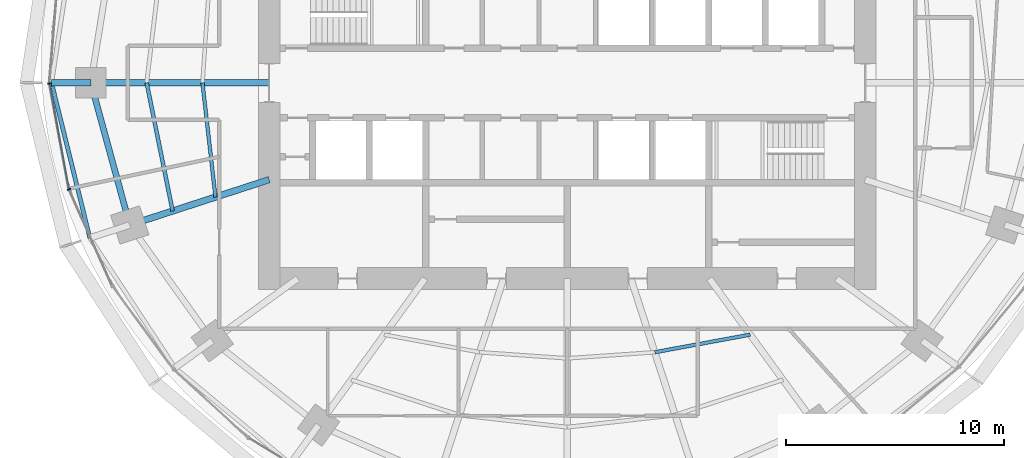
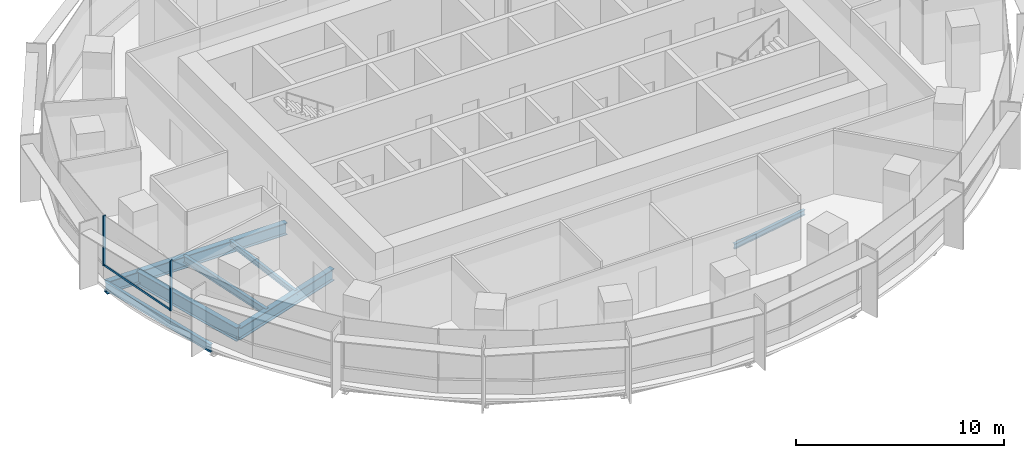
# One storey, part 3 of 14: 8 beams, 3 members, 1 element without a shape of its own.
"""IFC4 building model written with IfcOpenShell, lengths in metres."""

from ifc_helpers import new_model, si_unit, direction, frame, origin, origin_2d, place, context, subcontext, project, spatial, rectangle, i_section, extrude, material, material_profile, profile_set, type_object, element, aggregate, save


model = new_model("IFC4")

# Units and contexts
model_context = context("Model", 3, precision=1e-05, world=origin(), true_north=direction((0.0, 1.0)))
body_context = subcontext(model_context, "Body", "Model", "MODEL_VIEW")
ifc_project = project(units=[si_unit("LENGTHUNIT", "METRE"), si_unit("AREAUNIT", "SQUARE_METRE"), si_unit("VOLUMEUNIT", "CUBIC_METRE"), si_unit("PLANEANGLEUNIT", "RADIAN"), si_unit("MASSUNIT", "GRAM", prefix="KILO")], contexts=[model_context])

# Site, building, storey
site_placement = place(None, origin())
site = spatial("IfcSite", under=ifc_project, at=site_placement, CompositionType="ELEMENT")
building_placement = place(site_placement, origin())
building = spatial("IfcBuilding", under=site, at=building_placement, Name="Marramba Exchange Tower", CompositionType="ELEMENT")
storey_placement = place(building_placement, frame((0.0, 0.0, 199.39990234375)))
storey = spatial("IfcBuildingStorey", under=building, at=storey_placement, Name="L48", CompositionType="ELEMENT", Elevation=199.39990234375)

# Beams
ifc_material_1 = material(Name="Steel AS/NZS 3679.2 grade 300", Category="steel")
ifc_material_profile_1 = material_profile(ifc_material_1, i_section(OverallWidth=0.300048828125, OverallDepth=0.699951171875, WebThickness=0.010009765625, FlangeThickness=0.031982421875, at=origin_2d()), Name="700WB173")
ifc_profile_set_1 = profile_set([ifc_material_profile_1], Name="Steel AS/NZS 3679.2 grade 300")
beam_type_1 = type_object("IfcBeamType", Name="Cantilever girder 700WB173", PredefinedType="BEAM", material=ifc_profile_set_1)
beam_1_placement = place(storey_placement, frame((-21.89990234375, 0.0, -0.510009765625), z_axis=(-1.0, 0.0, 0.0), x_axis=(0.0, -1.0, 0.0)))
element("IfcBeam", 1, at=beam_1_placement, inside=storey, type_object=beam_type_1, Name="Cantilever girder L48 TC11", PredefinedType="BEAM", context=body_context, shape_type="SweptSolid", body=[
    extrude(i_section(OverallWidth=0.300048828125, OverallDepth=0.699951171875, WebThickness=0.010009765625, FlangeThickness=0.031982421875, at=origin_2d()), origin(), (0.0, 0.0, 1.0), 1.80615234375),
])
ifc_material_2 = material(Name="Steel AS/NZS 3679.1 grade 300", Category="steel")
ifc_material_profile_2 = material_profile(ifc_material_2, i_section(OverallWidth=0.166015625, OverallDepth=0.306884765625, WebThickness=0.006591796875, FlangeThickness=0.01171875, FilletRadius=0.011474609375, at=origin_2d()), Name="310UB46.2")
ifc_profile_set_2 = profile_set([ifc_material_profile_2], Name="Steel AS/NZS 3679.1 grade 300")
beam_type_2 = type_object("IfcBeamType", Name="Floor joist 310UB46.2", PredefinedType="JOIST", material=ifc_profile_set_2)
beam_2_placement = place(storey_placement, frame((-16.7666015625, 0.0, -0.3134765625), z_axis=(0.112888968594, -0.993607609054, 0.0), x_axis=(0.993607609054, 0.112888968594, 0.0)))
element("IfcBeam", 2, at=beam_2_placement, inside=storey, type_object=beam_type_2, Name="Joist L48 bay 11 row 1", PredefinedType="JOIST", context=body_context, shape_type="SweptSolid", body=[
    extrude(i_section(OverallWidth=0.166015625, OverallDepth=0.306884765625, WebThickness=0.006591796875, FlangeThickness=0.01171875, FilletRadius=0.011474609375, at=origin_2d()), origin(), (0.0, 0.0, 1.0), 5.28759765625),
])
beam_3_placement = place(storey_placement, frame((4.0244140625, -12.3857421875, -0.3134765625), z_axis=(0.983455754421, 0.181148500119, 0.0), x_axis=(-0.181148500119, 0.983455754421, 0.0)))
element("IfcBeam", 3, at=beam_3_placement, inside=storey, type_object=beam_type_2, Name="Joist L48 bay 17 row 1", PredefinedType="JOIST", context=body_context, shape_type="SweptSolid", body=[
    extrude(i_section(OverallWidth=0.166015625, OverallDepth=0.306884765625, WebThickness=0.006591796875, FlangeThickness=0.01171875, FilletRadius=0.011474609375, at=origin_2d()), origin(), (0.0, 0.0, 1.0), 4.4609375),
])
ifc_material_profile_3 = material_profile(ifc_material_2, i_section(OverallWidth=0.177978515625, OverallDepth=0.406005859375, WebThickness=0.0078125, FlangeThickness=0.0126953125, FilletRadius=0.011474609375, at=origin_2d()), Name="410UB59.7")
ifc_profile_set_3 = profile_set([ifc_material_profile_3], Name="Steel AS/NZS 3679.1 grade 300")
beam_type_3 = type_object("IfcBeamType", Name="Floor joist 410UB59.7", PredefinedType="JOIST", material=ifc_profile_set_3)
beam_4_placement = place(storey_placement, frame((-19.333251953125, 0.0, -0.36279296875), z_axis=(0.198489047047, -0.980103105904, 0.0), x_axis=(0.980103105904, 0.198489047047, 0.0)))
element("IfcBeam", 4, at=beam_4_placement, inside=storey, type_object=beam_type_3, Name="Joist L48 bay 11 row 2", PredefinedType="JOIST", context=body_context, shape_type="SweptSolid", body=[
    extrude(i_section(OverallWidth=0.177978515625, OverallDepth=0.406005859375, WebThickness=0.0078125, FlangeThickness=0.0126953125, FilletRadius=0.011474609375, at=origin_2d()), origin(), (0.0, 0.0, 1.0), 6.013427734375),
])

# Curtain wall, members
ifc_material_3 = material(Name="Aluminium framing, bronze anodised", Category="aluminium")
curtain_wall_type = type_object("IfcCurtainWallType", Name="Office ribbon curtain wall", PredefinedType="USERDEFINED", material=ifc_material_3)
curtain_wall_placement = place(storey_placement, origin())
curtain_wall = element("IfcCurtainWall", 5, at=curtain_wall_placement, inside=storey, type_object=curtain_wall_type, Name="Curtain wall CW4 L48 F16-F20", ObjectType="RIBBON CURTAIN WALL", PredefinedType="USERDEFINED")
ifc_material_4 = material(Name="Aluminium mullion, bronze anodised", Category="aluminium")
ifc_material_profile_4 = material_profile(ifc_material_4, rectangle(XDim=0.159912109375, YDim=0.06005859375, at=origin_2d()), Name="CW4 mullion 60x160")
ifc_profile_set_4 = profile_set([ifc_material_profile_4], Name="Aluminium mullion, bronze anodised")
member_type_1 = type_object("IfcMemberType", Name="Office ribbon curtain wall mullion", PredefinedType="MULLION", material=ifc_profile_set_4)
member_1_placement = place(storey_placement, frame((-23.800537109375, -0.029541015625, 0.800048828125), z_axis=(0.0, 0.0, 1.0), x_axis=(0.983606636184, 0.180327438996, 0.0)))
member_1 = element("IfcMember", 6, at=member_1_placement, type_object=member_type_1, Name="CW4 mullion 1", PredefinedType="MULLION", context=body_context, shape_type="SweptSolid", body=[
    extrude(rectangle(XDim=0.159912109375, YDim=0.06005859375, at=origin_2d()), origin(), (0.0, 0.0, 1.0), 2.93994140625),
])
member_2_placement = place(storey_placement, frame((-22.90087890625, -4.897705078125, 0.800048828125), z_axis=(0.0, 0.0, 1.0), x_axis=(0.913179510401, 0.407557580942, 0.0)))
member_2 = element("IfcMember", 7, at=member_2_placement, type_object=member_type_1, Name="CW4 mullion 1", PredefinedType="MULLION", context=body_context, shape_type="SweptSolid", body=[
    extrude(rectangle(XDim=0.159912109375, YDim=0.06005859375, at=origin_2d()), origin(), (0.0, 0.0, 1.0), 2.93994140625),
])
ifc_material_5 = material(Name="Aluminium transom, bronze anodised", Category="aluminium")
ifc_material_profile_5 = material_profile(ifc_material_5, rectangle(XDim=0.06005859375, YDim=0.1201171875, at=origin_2d()), Name="CW4 transom 60x120")
ifc_profile_set_5 = profile_set([ifc_material_profile_5], Name="Aluminium transom, bronze anodised")
member_type_2 = type_object("IfcMemberType", Name="Office ribbon curtain wall transom", PredefinedType="USERDEFINED", material=ifc_profile_set_5)
member_3_placement = place(storey_placement, frame((-23.795166015625, -0.05908203125, 0.830078125), z_axis=(0.180330283276, -0.98360611473, 0.0), x_axis=(0.98360611473, 0.180330283276, 0.0)))
member_3 = element("IfcMember", 8, at=member_3_placement, type_object=member_type_2, Name="CW4 sill transom", ObjectType="TRANSOM", PredefinedType="USERDEFINED", context=body_context, shape_type="SweptSolid", body=[
    extrude(rectangle(XDim=0.06005859375, YDim=0.1201171875, at=origin_2d()), origin(), (0.0, 0.0, 1.0), 4.891357421875),
])
aggregate(curtain_wall, [member_1, member_3, member_2])

# Beams
ifc_material_profile_6 = material_profile(ifc_material_1, i_section(OverallWidth=0.300048828125, OverallDepth=0.699951171875, WebThickness=0.010009765625, FlangeThickness=0.031982421875, at=origin_2d()), Name="700WB173")
ifc_profile_set_6 = profile_set([ifc_material_profile_6], Name="Steel AS/NZS 3679.2 grade 300")
beam_type_4 = type_object("IfcBeamType", Name="Radial girder 700WB173", PredefinedType="BEAM", material=ifc_profile_set_6)
beam_5_placement = place(storey_placement, frame((-13.699951171875, 0.0, -0.510009765625), z_axis=(-1.0, 0.0, 0.0), x_axis=(0.0, -1.0, 0.0)))
element("IfcBeam", 9, at=beam_5_placement, inside=storey, type_object=beam_type_4, Name="Radial girder L48 TC11", PredefinedType="BEAM", context=body_context, shape_type="SweptSolid", body=[
    extrude(i_section(OverallWidth=0.300048828125, OverallDepth=0.699951171875, WebThickness=0.010009765625, FlangeThickness=0.031982421875, at=origin_2d()), origin(), (0.0, 0.0, 1.0), 8.199951171875),
])
beam_6_placement = place(storey_placement, frame((-13.699951171875, -4.451416015625, -0.510009765625), z_axis=(-0.951057759669, -0.309013167637, 0.0), x_axis=(0.309013167637, -0.951057759669, 0.0)))
element("IfcBeam", 10, at=beam_6_placement, inside=storey, type_object=beam_type_4, Name="Radial girder L48 TC12", PredefinedType="BEAM", context=body_context, shape_type="SweptSolid", body=[
    extrude(i_section(OverallWidth=0.300048828125, OverallDepth=0.699951171875, WebThickness=0.010009765625, FlangeThickness=0.031982421875, at=origin_2d()), origin(), (0.0, 0.0, 1.0), 6.7392578125),
])
ifc_material_profile_7 = material_profile(ifc_material_1, i_section(OverallWidth=0.27490234375, OverallDepth=0.800048828125, WebThickness=0.010009765625, FlangeThickness=0.02490234375, at=origin_2d()), Name="800WB168")
ifc_profile_set_7 = profile_set([ifc_material_profile_7], Name="Steel AS/NZS 3679.2 grade 300")
beam_type_5 = type_object("IfcBeamType", Name="Ring beam 800WB168", PredefinedType="SPANDREL", material=ifc_profile_set_7)
beam_7_placement = place(storey_placement, frame((-21.89990234375, 0.0, -0.559814453125), z_axis=(0.264291166956, -0.964442937176, 0.0), x_axis=(0.964442937176, 0.264291166956, 0.0)))
element("IfcBeam", 11, at=beam_7_placement, inside=storey, type_object=beam_type_5, Name="Ring beam L48 TC11-TC12", PredefinedType="SPANDREL", context=body_context, shape_type="SweptSolid", body=[
    extrude(i_section(OverallWidth=0.27490234375, OverallDepth=0.800048828125, WebThickness=0.010009765625, FlangeThickness=0.02490234375, at=origin_2d()), origin(), (0.0, 0.0, 1.0), 6.77490234375),
])
ifc_material_profile_8 = material_profile(ifc_material_2, i_section(OverallWidth=0.19091796875, OverallDepth=0.4599609375, WebThickness=0.010009765625, FlangeThickness=0.01611328125, FilletRadius=0.011474609375, at=origin_2d()), Name="460UB82.1")
ifc_profile_set_8 = profile_set([ifc_material_profile_8], Name="Steel AS/NZS 3679.1 grade 300")
beam_type_6 = type_object("IfcBeamType", Name="Slab edge beam 460UB82.1", PredefinedType="SPANDREL", material=ifc_profile_set_8)
beam_8_placement = place(storey_placement, frame((-23.7060546875, 0.0, -0.389892578125), z_axis=(0.23973454413, -0.970838476963, 0.0), x_axis=(0.970838476963, 0.23973454413, 0.0)))
element("IfcBeam", 12, at=beam_8_placement, inside=storey, type_object=beam_type_6, Name="Slab edge beam L48 TC11-TC12", PredefinedType="SPANDREL", context=body_context, shape_type="SweptSolid", body=[
    extrude(i_section(OverallWidth=0.19091796875, OverallDepth=0.4599609375, WebThickness=0.010009765625, FlangeThickness=0.01611328125, FilletRadius=0.011474609375, at=origin_2d()), origin(), (0.0, 0.0, 1.0), 7.344482421875),
])

save(model, "model.ifc")
